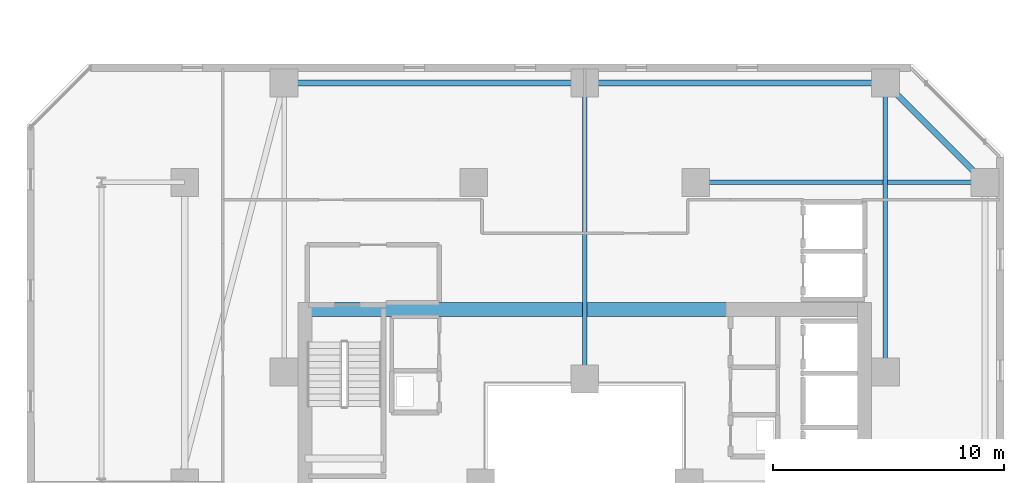
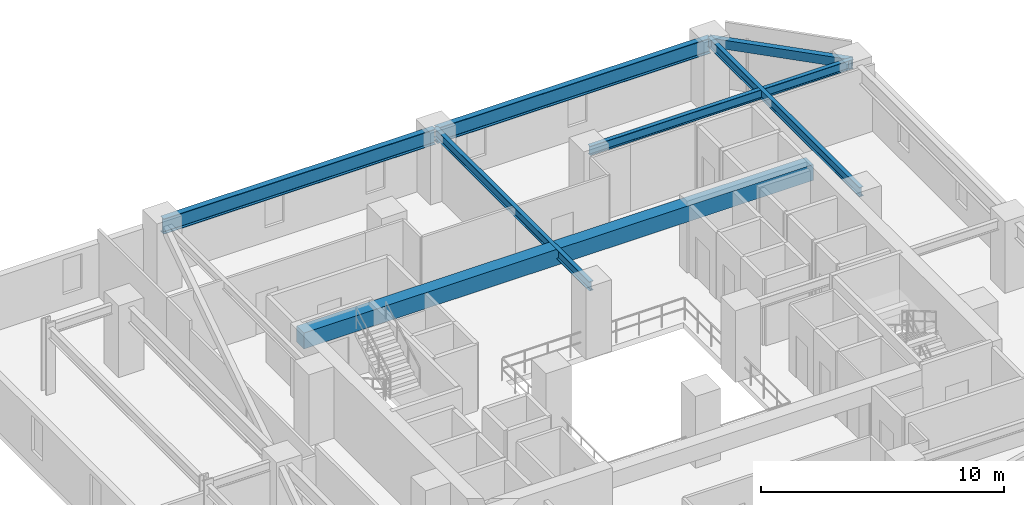
# One storey, part 16 of 33: 7 beams.
"""IFC4 building model written with IfcOpenShell, lengths in metres."""

from ifc_helpers import new_model, si_unit, direction, frame, origin, origin_2d, place, context, subcontext, project, spatial, rectangle, hollow_rectangle, i_section, extrude, material, material_profile, profile_set, type_object, element, save


model = new_model("IFC4")

# Units and contexts
model_context = context("Model", 3, precision=1e-05, world=origin(), true_north=direction((0.0, 1.0)))
body_context = subcontext(model_context, "Body", "Model", "MODEL_VIEW")
ifc_project = project(units=[si_unit("LENGTHUNIT", "METRE"), si_unit("AREAUNIT", "SQUARE_METRE"), si_unit("VOLUMEUNIT", "CUBIC_METRE"), si_unit("PLANEANGLEUNIT", "RADIAN"), si_unit("MASSUNIT", "GRAM", prefix="KILO")], contexts=[model_context])

# Site, building, storey
site_placement = place(None, origin())
site = spatial("IfcSite", under=ifc_project, at=site_placement, CompositionType="ELEMENT")
building_placement = place(site_placement, origin())
building = spatial("IfcBuilding", under=site, at=building_placement, Name="Thornwick Lancets Civic Towers", CompositionType="ELEMENT")
storey_placement = place(building_placement, frame((0.0, 0.0, 101.699951171875)))
storey = spatial("IfcBuildingStorey", under=building, at=storey_placement, Name="L26", CompositionType="ELEMENT", Elevation=101.699951171875)

# Beams
ifc_material_1 = material(Name="Concrete C60/75", Category="concrete")
ifc_material_profile_1 = material_profile(ifc_material_1, rectangle(XDim=0.60009765625, YDim=0.800048828125, at=origin_2d()), Name="RC 600x800")
ifc_profile_set_1 = profile_set([ifc_material_profile_1], Name="Concrete C60/75")
beam_type_1 = type_object("IfcBeamType", Name="BM_COUP_RC800", PredefinedType="BEAM", material=ifc_profile_set_1)
beam_1_placement = place(storey_placement, frame((76.39990234375, 34.5, 2.9599609375), z_axis=(1.0, 0.0, 0.0), x_axis=(0.0, 1.0, 0.0)))
element("IfcBeam", 1, at=beam_1_placement, inside=storey, type_object=beam_type_1, Name="CB-L26-B1", PredefinedType="BEAM", context=body_context, shape_type="SweptSolid", body=[
    extrude(rectangle(XDim=0.60009765625, YDim=0.800048828125, at=origin_2d()), origin(), (0.0, 0.0, 1.0), 24.2001953125),
])
ifc_material_2 = material(Name="Steel S355JR", Category="steel")
ifc_material_profile_2 = material_profile(ifc_material_2, i_section(OverallWidth=0.26806640625, OverallDepth=0.769775390625, WebThickness=0.015625, FlangeThickness=0.025390625, FilletRadius=0.0166015625, at=origin_2d()), Name="UKB 762x267x197")
ifc_profile_set_2 = profile_set([ifc_material_profile_2], Name="Steel S355JR")
beam_type_2 = type_object("IfcBeamType", Name="BM_GIRD_762_197", PredefinedType="BEAM", material=ifc_profile_set_2)
beam_2_placement = place(storey_placement, frame((101.5, 44.300048828125, 2.97509765625), z_axis=(-1.0, 0.0, 0.0), x_axis=(0.0, -1.0, 0.0)))
element("IfcBeam", 2, at=beam_2_placement, inside=storey, type_object=beam_type_2, Name="BM-SPINE-L26-B-3-4", PredefinedType="BEAM", context=body_context, shape_type="SweptSolid", body=[
    extrude(i_section(OverallWidth=0.26806640625, OverallDepth=0.769775390625, WebThickness=0.015625, FlangeThickness=0.025390625, FilletRadius=0.0166015625, at=origin_2d()), origin(), (0.0, 0.0, 1.0), 13.0),
])
beam_3_placement = place(storey_placement, frame((88.419921875, 44.300048828125, 2.97509765625), z_axis=(-1.0, 0.0, 0.0), x_axis=(0.0, -1.0, 0.0)))
element("IfcBeam", 3, at=beam_3_placement, inside=storey, type_object=beam_type_2, Name="BM-SPINE-L26-B-4-5", PredefinedType="BEAM", context=body_context, shape_type="SweptSolid", body=[
    extrude(i_section(OverallWidth=0.26806640625, OverallDepth=0.769775390625, WebThickness=0.015625, FlangeThickness=0.025390625, FilletRadius=0.0166015625, at=origin_2d()), origin(), (0.0, 0.0, 1.0), 12.919921875),
])
ifc_material_profile_3 = material_profile(ifc_material_2, i_section(OverallWidth=0.19287109375, OverallDepth=0.46728515625, WebThickness=0.011474609375, FlangeThickness=0.01953125, FilletRadius=0.01025390625, at=origin_2d()), Name="UKB 457x191x98")
ifc_profile_set_3 = profile_set([ifc_material_profile_3], Name="Steel S355JR")
beam_type_3 = type_object("IfcBeamType", Name="BM_JOIST_457_98", PredefinedType="JOIST", material=ifc_profile_set_3)
for number, where, z_axis, x_axis, name in (
    (4, (93.300048828125, 40.0, 3.12646484375), (1.0, 0.0, 0.0), (0.0, 1.0, 0.0), "BM-RADIN-L26-B03"),
    (5, (101.5, 31.800048828125, 3.12646484375), (0.0, 1.0, 0.0), (-1.0, 0.0, 0.0), "BM-RADIN-L26-B04"),
):
    element("IfcBeam", number, at=place(storey_placement, frame(where, z_axis=z_axis, x_axis=x_axis)), inside=storey, type_object=beam_type_3, Name=name, PredefinedType="JOIST", context=body_context, shape_type="SweptSolid", body=[
        extrude(i_section(OverallWidth=0.19287109375, OverallDepth=0.46728515625, WebThickness=0.011474609375, FlangeThickness=0.01953125, FilletRadius=0.01025390625, at=origin_2d()), origin(), (0.0, 0.0, 1.0), 12.5),
    ])
beam_4_placement = place(storey_placement, frame((88.5, 31.5, 3.12646484375), z_axis=(0.0, 1.0, 0.0), x_axis=(-1.0, 0.0, 0.0)))
element("IfcBeam", 6, at=beam_4_placement, inside=storey, type_object=beam_type_3, Name="BM-RADIN-L26-B05", PredefinedType="JOIST", context=body_context, shape_type="SweptSolid", body=[
    extrude(i_section(OverallWidth=0.19287109375, OverallDepth=0.46728515625, WebThickness=0.011474609375, FlangeThickness=0.01953125, FilletRadius=0.01025390625, at=origin_2d()), origin(), (0.0, 0.0, 1.0), 12.800048828125),
])
ifc_material_profile_4 = material_profile(ifc_material_2, hollow_rectangle(XDim=0.25, YDim=0.449951171875, WallThickness=0.01611328125, at=origin_2d()), Name="RHS 450x250x16")
ifc_profile_set_4 = profile_set([ifc_material_profile_4], Name="Steel S355JR")
beam_type_4 = type_object("IfcBeamType", Name="BM_RING_RHS450", PredefinedType="BEAM", material=ifc_profile_set_4)
beam_5_placement = place(storey_placement, frame((105.800048828125, 40.0, 3.135009765625), z_axis=(-0.707106781187, 0.707106781187, 0.0), x_axis=(-0.707106781187, -0.707106781187, 0.0)))
element("IfcBeam", 7, at=beam_5_placement, inside=storey, type_object=beam_type_4, Name="BM-CHAMF-L26-B-C0", PredefinedType="BEAM", context=body_context, shape_type="SweptSolid", body=[
    extrude(hollow_rectangle(XDim=0.25, YDim=0.449951171875, WallThickness=0.01611328125, at=origin_2d()), origin(), (0.0, 0.0, 1.0), 6.081298828125),
])

save(model, "model.ifc")
